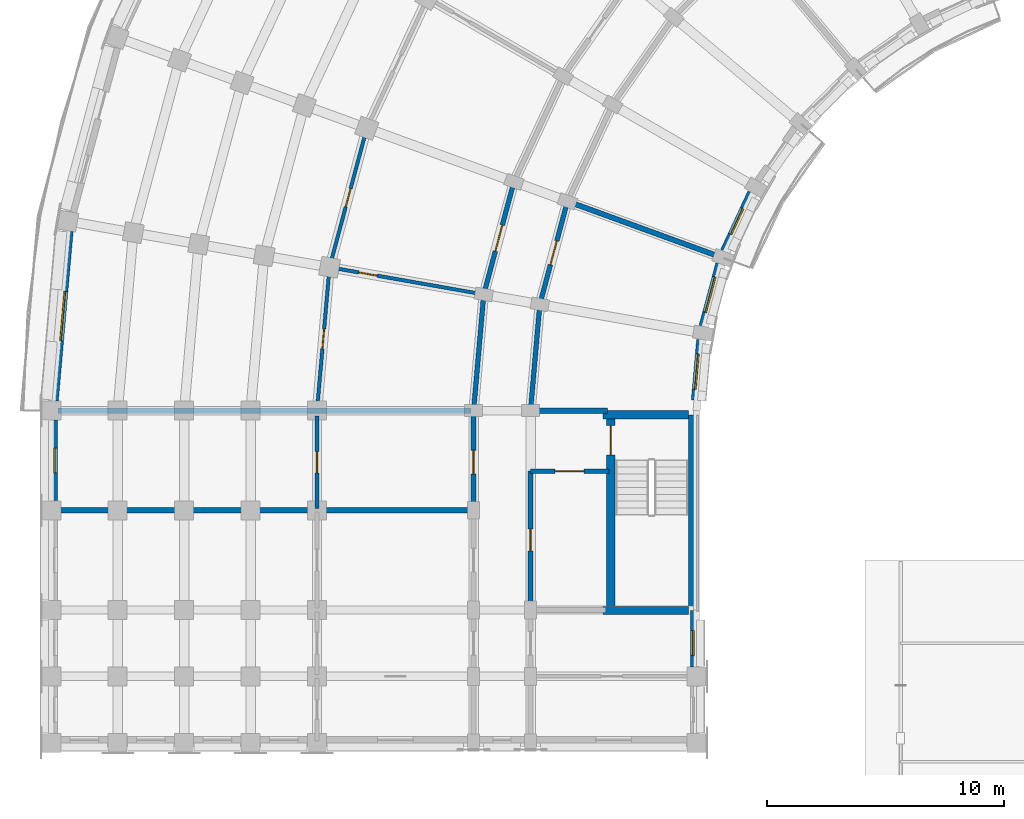
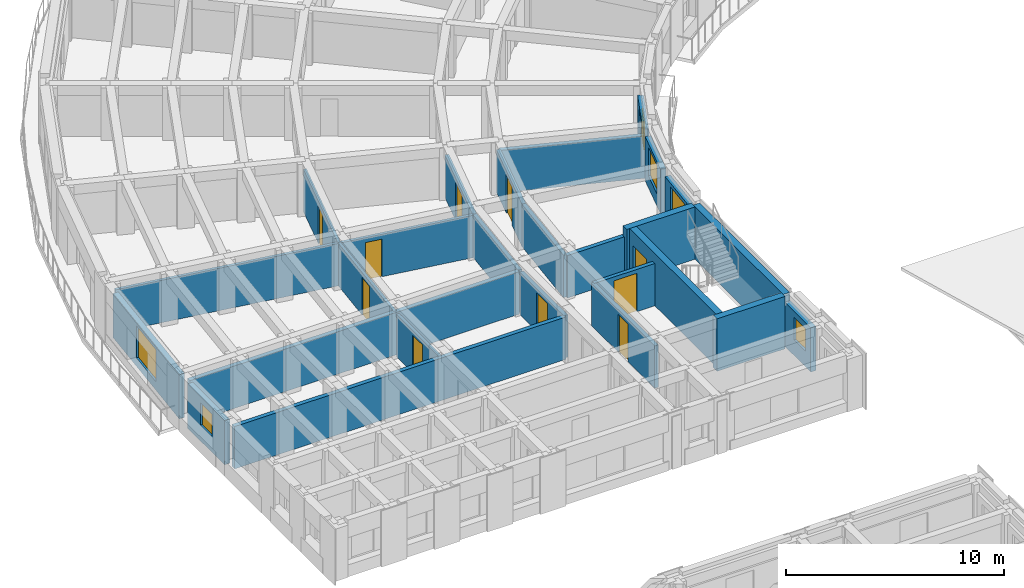
# One storey, part 43 of 76: 25 walls, 10 doors, 6 windows, 16 openings.
"""IFC4 building model written with IfcOpenShell, lengths in metres."""

from ifc_helpers import new_model, si_unit, direction, frame, frame_2d, origin, place, context, subcontext, project, spatial, rectangle, extrude, material, layer, layer_set, type_object, element, fill, save


model = new_model("IFC4")

# Units and contexts
model_context = context("Model", 3, precision=1e-05, world=origin(), true_north=direction((0.0, 1.0)))
body_context = subcontext(model_context, "Body", "Model", "MODEL_VIEW")
ifc_project = project(units=[si_unit("LENGTHUNIT", "METRE"), si_unit("AREAUNIT", "SQUARE_METRE"), si_unit("VOLUMEUNIT", "CUBIC_METRE"), si_unit("PLANEANGLEUNIT", "RADIAN"), si_unit("MASSUNIT", "GRAM", prefix="KILO")], contexts=[model_context])

# Site, building, storey
site_placement = place(None, origin())
site = spatial("IfcSite", under=ifc_project, at=site_placement, CompositionType="ELEMENT")
building_placement = place(site_placement, origin())
building = spatial("IfcBuilding", under=site, at=building_placement, Name="Kiranvali Square Residences", CompositionType="ELEMENT")
storey_placement = place(building_placement, frame((0.0, 0.0, 8.699951171875)))
storey = spatial("IfcBuildingStorey", under=building, at=storey_placement, Name="L02", CompositionType="ELEMENT", Elevation=8.699951171875)

# Wall, opening, door
ifc_material_1 = material(Name="Autoclaved aerated concrete blockwork masonry", Category="masonry")
ifc_layer_1 = layer(ifc_material_1, 0.199951171875)
ifc_layer_set_1 = layer_set([ifc_layer_1], Name="Autoclaved aerated concrete blockwork masonry")
wall_type_1 = type_object("IfcWallType", Name="WL-COR-200", PredefinedType="STANDARD", material=ifc_layer_set_1)
wall_1_placement = place(storey_placement, frame((25.699951171875, 85.25, 0.0), z_axis=(0.0, 0.0, 1.0), x_axis=(-1.0, 0.0, 0.0)))
wall_1 = element("IfcWall", 1, at=wall_1_placement, inside=storey, type_object=wall_type_1, Name="L02 architectural wall WL-L02-A-S3-V", PredefinedType="STANDARD", context=body_context, shape_type="SweptSolid", body=[
    extrude(rectangle(XDim=3.300048828125, YDim=0.199951171875, at=frame_2d((1.64990234375, 0.0))), origin(), (0.0, 0.0, 1.0), 2.3720703125),
])
opening_1_placement = place(wall_1_placement, frame((1.0400390625, 0.0, 0.0)))
opening_1 = element("IfcOpeningElement", 2, at=opening_1_placement, cuts=wall_1, Name="Opening FD-COR-60", PredefinedType="OPENING", context=body_context, shape_type="SweptSolid", body=[
    extrude(rectangle(XDim=1.219970703125, YDim=2.14990234375, at=frame_2d((0.60986328125, 1.074951171875))), frame((0.0, 0.10986328125, 0.0), z_axis=(0.0, -1.0, 0.0), x_axis=(1.0, 0.0, 0.0)), (0.0, 0.0, 1.0), 0.219970703125),
])
ifc_material_2 = material(Name="Fire-rated acoustic hardwood and mineral-core door assembly", Category="wood")
door_type_1 = type_object("IfcDoorType", Name="DR-FD60-1200", OperationType="NOTDEFINED", PredefinedType="DOOR", material=ifc_material_2)
door_1_placement = place(opening_1_placement, origin())
door_1 = element("IfcDoor", 3, at=door_1_placement, inside=storey, type_object=door_type_1, Name="L02 door DR-L02-0163 (DR-FD60-1200)", OperationType="SINGLE_SWING_LEFT", OverallHeight=2.14990234375, OverallWidth=1.219970703125, PredefinedType="DOOR", context=body_context, shape_type="SweptSolid", body=[
    extrude(rectangle(XDim=1.219970703125, YDim=2.14990234375, at=frame_2d((0.60986328125, 1.074951171875))), frame((0.0, 0.02490234375, 0.0), z_axis=(0.0, -1.0, 0.0), x_axis=(1.0, 0.0, 0.0)), (0.0, 0.0, 1.0), 0.050048828125),
])
fill(opening_1, door_1)

wall_2_placement = place(storey_placement, frame((22.39990234375, 85.25, 0.0), z_axis=(0.0, 0.0, 1.0), x_axis=(0.0, -1.0, 0.0)))
wall_2 = element("IfcWall", 4, at=wall_2_placement, inside=storey, type_object=wall_type_1, Name="L02 architectural wall WL-L02-A-S3-COR", PredefinedType="STANDARD", context=body_context, shape_type="SweptSolid", body=[
    extrude(rectangle(XDim=5.800048828125, YDim=0.199951171875, at=frame_2d((2.89990234375, 0.0))), origin(), (0.0, 0.0, 1.0), 2.3720703125),
])
opening_2_placement = place(wall_2_placement, frame((2.43994140625, 0.0, 0.0)))
opening_2 = element("IfcOpeningElement", 5, at=opening_2_placement, cuts=wall_2, Name="Opening FD-SVC-120", PredefinedType="OPENING", context=body_context, shape_type="SweptSolid", body=[
    extrude(rectangle(XDim=0.919921875, YDim=2.10009765625, at=frame_2d((0.4599609375, 1.050048828125))), frame((0.0, 0.10986328125, 0.0), z_axis=(0.0, -1.0, 0.0), x_axis=(1.0, 0.0, 0.0)), (0.0, 0.0, 1.0), 0.219970703125),
])
door_type_2 = type_object("IfcDoorType", Name="DR-SVC-900", OperationType="NOTDEFINED", PredefinedType="DOOR", material=ifc_material_2)
door_2_placement = place(opening_2_placement, frame((0.919921875, 0.0, 0.0), z_axis=(0.0, 0.0, 1.0), x_axis=(-1.0, 0.0, 0.0)))
door_2 = element("IfcDoor", 6, at=door_2_placement, inside=storey, type_object=door_type_2, Name="L02 door DR-L02-0164 (DR-SVC-900)", OperationType="SINGLE_SWING_RIGHT", OverallHeight=2.10009765625, OverallWidth=0.919921875, PredefinedType="DOOR", context=body_context, shape_type="SweptSolid", body=[
    extrude(rectangle(XDim=0.919921875, YDim=2.10009765625, at=frame_2d((0.4599609375, 1.050048828125))), frame((0.0, 0.02490234375, 0.0), z_axis=(0.0, -1.0, 0.0), x_axis=(1.0, 0.0, 0.0)), (0.0, 0.0, 1.0), 0.050048828125),
])
fill(opening_2, door_2)

wall_3_placement = place(storey_placement, frame((23.955810546875, 96.6240234375, 0.0), z_axis=(0.0, 0.0, 1.0), x_axis=(-0.258787642463, -0.965934240054, 0.0)))
wall_3 = element("IfcWall", 7, at=wall_3_placement, inside=storey, type_object=wall_type_1, Name="L02 architectural wall WL-L02-A-CCI-7", PredefinedType="STANDARD", context=body_context, shape_type="SweptSolid", body=[
    extrude(rectangle(XDim=4.497314453125, YDim=0.199951171875, at=frame_2d((2.24853515625, 0.0))), origin(), (0.0, 0.0, 1.0), 2.3720703125),
])
opening_3_placement = place(wall_3_placement, frame((1.728515625, 0.0, 0.0)))
opening_3 = element("IfcOpeningElement", 8, at=opening_3_placement, cuts=wall_3, Name="Opening FD-APT-60B", PredefinedType="OPENING", context=body_context, shape_type="SweptSolid", body=[
    extrude(rectangle(XDim=1.0400390625, YDim=2.14990234375, at=frame_2d((0.52001953125, 1.074951171875))), frame((0.0, 0.10986328125, 0.0), z_axis=(0.0, -1.0, 0.0), x_axis=(1.0, 0.0, 0.0)), (0.0, 0.0, 1.0), 0.219970703125),
])
door_type_3 = type_object("IfcDoorType", Name="DR-APT-1040", OperationType="NOTDEFINED", PredefinedType="DOOR", material=ifc_material_2)
door_3_placement = place(opening_3_placement, origin())
door_3 = element("IfcDoor", 9, at=door_3_placement, inside=storey, type_object=door_type_3, Name="L02 door DR-L02-0203 (DR-APT-1040)", OperationType="SINGLE_SWING_LEFT", OverallHeight=2.14990234375, OverallWidth=1.0400390625, PredefinedType="DOOR", context=body_context, shape_type="SweptSolid", body=[
    extrude(rectangle(XDim=1.0400390625, YDim=2.14990234375, at=frame_2d((0.52001953125, 1.074951171875))), frame((0.0, 0.02490234375, 0.0), z_axis=(0.0, -1.0, 0.0), x_axis=(1.0, 0.0, 0.0)), (0.0, 0.0, 1.0), 0.050048828125),
])
fill(opening_3, door_3)

wall_4_placement = place(storey_placement, frame((21.70068359375, 97.445068359375, 0.0), z_axis=(0.0, 0.0, 1.0), x_axis=(-0.258803112091, -0.965930095386, 0.0)))
wall_4 = element("IfcWall", 10, at=wall_4_placement, inside=storey, type_object=wall_type_1, Name="L02 architectural wall WL-L02-A-CCO-7", PredefinedType="STANDARD", context=body_context, shape_type="SweptSolid", body=[
    extrude(rectangle(XDim=4.915771484375, YDim=0.199951171875, at=frame_2d((2.4580078125, 0.0))), origin(), (0.0, 0.0, 1.0), 2.3720703125),
])
opening_4_placement = place(wall_4_placement, frame((1.8876953125, 0.0, 0.0)))
opening_4 = element("IfcOpeningElement", 11, at=opening_4_placement, cuts=wall_4, Name="Opening FD-APT-60D", PredefinedType="OPENING", context=body_context, shape_type="SweptSolid", body=[
    extrude(rectangle(XDim=1.139892578125, YDim=2.14990234375, at=frame_2d((0.56982421875, 1.074951171875))), frame((0.0, 0.10986328125, 0.0), z_axis=(0.0, -1.0, 0.0), x_axis=(1.0, 0.0, 0.0)), (0.0, 0.0, 1.0), 0.219970703125),
])
door_type_4 = type_object("IfcDoorType", Name="DR-APT-1140", OperationType="NOTDEFINED", PredefinedType="DOOR", material=ifc_material_2)
door_4_placement = place(opening_4_placement, origin())
door_4 = element("IfcDoor", 12, at=door_4_placement, inside=storey, type_object=door_type_4, Name="L02 door DR-L02-0197 (DR-APT-1140)", OperationType="SINGLE_SWING_LEFT", OverallHeight=2.14990234375, OverallWidth=1.139892578125, PredefinedType="DOOR", context=body_context, shape_type="SweptSolid", body=[
    extrude(rectangle(XDim=1.139892578125, YDim=2.14990234375, at=frame_2d((0.56982421875, 1.074951171875))), frame((0.0, 0.02490234375, 0.0), z_axis=(0.0, -1.0, 0.0), x_axis=(1.0, 0.0, 0.0)), (0.0, 0.0, 1.0), 0.050048828125),
])
fill(opening_4, door_4)

# Walls
wall_5_placement = place(storey_placement, frame((22.7919921875, 92.280029296875, 0.0), z_axis=(0.0, 0.0, 1.0), x_axis=(-0.087187153726, -0.996191949488, 0.0)))
element("IfcWall", 13, at=wall_5_placement, inside=storey, type_object=wall_type_1, Name="L02 architectural wall WL-L02-A-CCI-8", PredefinedType="STANDARD", context=body_context, shape_type="SweptSolid", body=[
    extrude(rectangle(XDim=4.4970703125, YDim=0.199951171875, at=frame_2d((2.24853515625, 0.0))), origin(), (0.0, 0.0, 1.0), 2.3720703125),
])
wall_6_placement = place(storey_placement, frame((20.428466796875, 92.69677734375, 0.0), z_axis=(0.0, 0.0, 1.0), x_axis=(-0.087167566415, -0.996193663584, 0.0)))
element("IfcWall", 14, at=wall_6_placement, inside=storey, type_object=wall_type_1, Name="L02 architectural wall WL-L02-A-CCO-8", PredefinedType="STANDARD", context=body_context, shape_type="SweptSolid", body=[
    extrude(rectangle(XDim=4.91552734375, YDim=0.199951171875, at=frame_2d((2.457763671875, 0.0))), origin(), (0.0, 0.0, 1.0), 2.3720703125),
])

# Wall, opening, door
wall_7_placement = place(storey_placement, frame((20.0, 87.64990234375, 0.0), z_axis=(0.0, 0.0, 1.0), x_axis=(0.0, -1.0, 0.0)))
wall_7 = element("IfcWall", 15, at=wall_7_placement, inside=storey, type_object=wall_type_1, Name="L02 architectural wall WL-L02-A-A2CF-C0", PredefinedType="STANDARD", context=body_context, shape_type="SweptSolid", body=[
    extrude(rectangle(XDim=4.0498046875, YDim=0.199951171875, at=frame_2d((2.02490234375, 0.0))), origin(), (0.0, 0.0, 1.0), 2.3720703125),
])
opening_5_placement = place(wall_7_placement, frame((1.52490234375, 0.0, 0.0)))
opening_5 = element("IfcOpeningElement", 16, at=opening_5_placement, cuts=wall_7, Name="Opening FD-APT-60", PredefinedType="OPENING", context=body_context, shape_type="SweptSolid", body=[
    extrude(rectangle(XDim=1.0, YDim=2.14990234375, at=frame_2d((0.5, 1.074951171875))), frame((0.0, 0.10986328125, 0.0), z_axis=(0.0, -1.0, 0.0), x_axis=(1.0, 0.0, 0.0)), (0.0, 0.0, 1.0), 0.219970703125),
])
door_type_5 = type_object("IfcDoorType", Name="DR-APT-1000", OperationType="NOTDEFINED", PredefinedType="DOOR", material=ifc_material_2)
door_5_placement = place(opening_5_placement, frame((1.0, 0.0, 0.0), z_axis=(0.0, 0.0, 1.0), x_axis=(-1.0, 0.0, 0.0)))
door_5 = element("IfcDoor", 17, at=door_5_placement, inside=storey, type_object=door_type_5, Name="L02 door DR-L02-0204 (DR-APT-1000)", OperationType="SINGLE_SWING_RIGHT", OverallHeight=2.14990234375, OverallWidth=1.0, PredefinedType="DOOR", context=body_context, shape_type="SweptSolid", body=[
    extrude(rectangle(XDim=1.0, YDim=2.14990234375, at=frame_2d((0.5, 1.074951171875))), frame((0.0, 0.02490234375, 0.0), z_axis=(0.0, -1.0, 0.0), x_axis=(1.0, 0.0, 0.0)), (0.0, 0.0, 1.0), 0.050048828125),
])
fill(opening_5, door_5)

# Walls
ifc_layer_2 = layer(ifc_material_1, 0.219970703125)
ifc_layer_set_2 = layer_set([ifc_layer_2], Name="Autoclaved aerated concrete blockwork masonry")
wall_type_2 = type_object("IfcWallType", Name="WL-DEM-220", PredefinedType="STANDARD", material=ifc_layer_set_2)
wall_8_placement = place(storey_placement, frame((30.345947265625, 94.29833984375, 0.0), z_axis=(0.0, 0.0, 1.0), x_axis=(-0.939696231917, 0.342010221662, 0.0)))
element("IfcWall", 18, at=wall_8_placement, inside=storey, type_object=wall_type_2, Name="L02 architectural wall WL-L02-A-RADI-7", PredefinedType="STANDARD", context=body_context, shape_type="SweptSolid", body=[
    extrude(rectangle(XDim=6.75, YDim=0.219970703125, at=frame_2d((3.375, 0.0))), origin(), (0.0, 0.0, 1.0), 2.3720703125),
])
wall_9_placement = place(storey_placement, frame((25.64990234375, 87.800048828125, 0.0), z_axis=(0.0, 0.0, 1.0), x_axis=(-1.0, 0.0, 0.0)))
element("IfcWall", 19, at=wall_9_placement, inside=storey, type_object=wall_type_2, Name="L02 architectural wall WL-L02-A-RADI-9", PredefinedType="STANDARD", context=body_context, shape_type="SweptSolid", body=[
    extrude(rectangle(XDim=3.199951171875, YDim=0.219970703125, at=frame_2d((1.60009765625, 0.0))), origin(), (0.0, 0.0, 1.0), 2.3720703125),
])
wall_10_placement = place(storey_placement, frame((19.949951171875, 83.60009765625, 0.0), z_axis=(0.0, 0.0, 1.0), x_axis=(-1.0, 0.0, 0.0)))
element("IfcWall", 20, at=wall_10_placement, inside=storey, type_object=wall_type_2, Name="L02 architectural wall WL-L02-A-A2CF-MID", PredefinedType="STANDARD", context=body_context, shape_type="SweptSolid", body=[
    extrude(rectangle(XDim=17.530029296875, YDim=0.219970703125, at=frame_2d((8.76513671875, 0.0))), origin(), (0.0, 0.0, 1.0), 2.3720703125),
])
ifc_layer_3 = layer(ifc_material_1, 0.22998046875)
ifc_layer_set_3 = layer_set([ifc_layer_3], Name="Autoclaved aerated concrete blockwork masonry")
wall_type_3 = type_object("IfcWallType", Name="WL-DEM-230", PredefinedType="STANDARD", material=ifc_layer_set_3)
wall_11_placement = place(storey_placement, frame((19.89990234375, 87.800048828125, 0.0), z_axis=(0.0, 0.0, 1.0), x_axis=(-1.0, 0.0, 0.0)))
element("IfcWall", 21, at=wall_11_placement, inside=storey, type_object=wall_type_3, Name="L02 architectural wall WL-L02-A-RADO-9", PredefinedType="STANDARD", context=body_context, shape_type="SweptSolid", body=[
    extrude(rectangle(XDim=17.419921875, YDim=0.22998046875, at=frame_2d((8.7099609375, 0.0))), origin(), (0.0, 0.0, 1.0), 2.3720703125),
])

# Wall, opening, window
ifc_material_3 = material(Name="Breathable lime-rendered clay brick masonry", Category="masonry")
ifc_layer_4 = layer(ifc_material_3, 0.27490234375)
ifc_layer_set_4 = layer_set([ifc_layer_4], Name="Breathable lime-rendered clay brick masonry")
wall_type_4 = type_object("IfcWallType", Name="WL-EXT-275", PredefinedType="STANDARD", material=ifc_layer_set_4)
wall_12_placement = place(storey_placement, frame((2.986083984375, 95.351318359375, 0.0), z_axis=(0.0, 0.0, 1.0), x_axis=(-0.08713989423, -0.99619608453, 0.0)))
wall_12 = element("IfcWall", 22, at=wall_12_placement, inside=storey, type_object=wall_type_4, Name="L02 exterior wall A-L02-CRV-08", PredefinedType="STANDARD", context=body_context, shape_type="SweptSolid", body=[
    extrude(rectangle(XDim=7.1640625, YDim=0.27490234375, at=frame_2d((3.58203125, 0.0))), origin(), (0.0, 0.0, 1.0), 2.47216796875),
])
opening_6_placement = place(wall_12_placement, frame((2.531982421875, 0.0, 0.471923828125)))
opening_6 = element("IfcOpeningElement", 23, at=opening_6_placement, cuts=wall_12, Name="Opening W-03", PredefinedType="OPENING", context=body_context, shape_type="SweptSolid", body=[
    extrude(rectangle(XDim=2.10009765625, YDim=1.800048828125, at=frame_2d((1.050048828125, 0.89990234375))), frame((0.0, 0.1474609375, 0.0), z_axis=(0.0, -1.0, 0.0), x_axis=(1.0, 0.0, 0.0)), (0.0, 0.0, 1.0), 0.294921875),
])
ifc_material_4 = material(Name="Solar-control low-e double glazing", Category="glass")
window_type_1 = type_object("IfcWindowType", Name="WIN-RES-2100x1800", PartitioningType="TRIPLE_PANEL_VERTICAL", PredefinedType="WINDOW", material=ifc_material_4)
window_1_placement = place(opening_6_placement, origin())
window_1 = element("IfcWindow", 24, at=window_1_placement, inside=storey, type_object=window_type_1, Name="L02 recessed window A-L02-CRV-08", OverallHeight=1.800048828125, OverallWidth=2.10009765625, PartitioningType="TRIPLE_PANEL_VERTICAL", PredefinedType="WINDOW", context=body_context, shape_type="SweptSolid", body=[
    extrude(rectangle(XDim=2.10009765625, YDim=1.800048828125, at=frame_2d((1.050048828125, 0.89990234375))), frame((0.0, 0.030029296875, 0.0), z_axis=(0.0, -1.0, 0.0), x_axis=(1.0, 0.0, 0.0)), (0.0, 0.0, 1.0), 0.06005859375),
])
fill(opening_6, window_1)

wall_13_placement = place(storey_placement, frame((31.687255859375, 96.999267578125, 0.0), z_axis=(0.0, 0.0, 1.0), x_axis=(-0.422610022166, -0.906311629168, 0.0)))
wall_13 = element("IfcWall", 25, at=wall_13_placement, inside=storey, type_object=wall_type_4, Name="L02 exterior wall A-L02-GDN-06", PredefinedType="STANDARD", context=body_context, shape_type="SweptSolid", body=[
    extrude(rectangle(XDim=2.717529296875, YDim=0.27490234375, at=frame_2d((1.35888671875, 0.0))), origin(), (0.0, 0.0, 1.0), 2.47216796875),
])
opening_7_placement = place(wall_13_placement, frame((0.7587890625, 0.0, 0.77197265625)))
opening_7 = element("IfcOpeningElement", 26, at=opening_7_placement, cuts=wall_13, Name="Opening W-06", PredefinedType="OPENING", context=body_context, shape_type="SweptSolid", body=[
    extrude(rectangle(XDim=1.199951171875, YDim=1.5, at=frame_2d((0.60009765625, 0.75))), frame((0.0, 0.1474609375, 0.0), z_axis=(0.0, -1.0, 0.0), x_axis=(1.0, 0.0, 0.0)), (0.0, 0.0, 1.0), 0.294921875),
])
window_type_2 = type_object("IfcWindowType", Name="WIN-RES-1200x1500", PartitioningType="SINGLE_PANEL", PredefinedType="WINDOW", material=ifc_material_4)
window_2_placement = place(opening_7_placement, origin())
window_2 = element("IfcWindow", 27, at=window_2_placement, inside=storey, type_object=window_type_2, Name="L02 recessed window A-L02-GDN-06", OverallHeight=1.5, OverallWidth=1.199951171875, PartitioningType="SINGLE_PANEL", PredefinedType="WINDOW", context=body_context, shape_type="SweptSolid", body=[
    extrude(rectangle(XDim=1.199951171875, YDim=1.5, at=frame_2d((0.60009765625, 0.75))), frame((0.0, 0.030029296875, 0.0), z_axis=(0.0, -1.0, 0.0), x_axis=(1.0, 0.0, 0.0)), (0.0, 0.0, 1.0), 0.06005859375),
])
fill(opening_7, window_2)

wall_14_placement = place(storey_placement, frame((30.340576171875, 93.9921875, 0.0), z_axis=(0.0, 0.0, 1.0), x_axis=(-0.258819907011, -0.965925595341, 0.0)))
wall_14 = element("IfcWall", 28, at=wall_14_placement, inside=storey, type_object=wall_type_4, Name="L02 exterior wall A-L02-GDN-07", PredefinedType="STANDARD", context=body_context, shape_type="SweptSolid", body=[
    extrude(rectangle(XDim=2.717529296875, YDim=0.27490234375, at=frame_2d((1.35888671875, 0.0))), origin(), (0.0, 0.0, 1.0), 2.47216796875),
])
opening_8_placement = place(wall_14_placement, frame((0.583740234375, 0.0, 0.672119140625)))
opening_8 = element("IfcOpeningElement", 29, at=opening_8_placement, cuts=wall_14, Name="Opening W-18", PredefinedType="OPENING", context=body_context, shape_type="SweptSolid", body=[
    extrude(rectangle(XDim=1.550048828125, YDim=1.60009765625, at=frame_2d((0.77490234375, 0.800048828125))), frame((0.0, 0.1474609375, 0.0), z_axis=(0.0, -1.0, 0.0), x_axis=(1.0, 0.0, 0.0)), (0.0, 0.0, 1.0), 0.294921875),
])
window_type_3 = type_object("IfcWindowType", Name="WIN-GDN-1550x1600", PartitioningType="DOUBLE_PANEL_VERTICAL", PredefinedType="WINDOW", material=ifc_material_4)
window_3_placement = place(opening_8_placement, origin())
window_3 = element("IfcWindow", 30, at=window_3_placement, inside=storey, type_object=window_type_3, Name="L02 recessed window A-L02-GDN-07", OverallHeight=1.60009765625, OverallWidth=1.550048828125, PartitioningType="DOUBLE_PANEL_VERTICAL", PredefinedType="WINDOW", context=body_context, shape_type="SweptSolid", body=[
    extrude(rectangle(XDim=1.550048828125, YDim=1.60009765625, at=frame_2d((0.77490234375, 0.800048828125))), frame((0.0, 0.030029296875, 0.0), z_axis=(0.0, -1.0, 0.0), x_axis=(1.0, 0.0, 0.0)), (0.0, 0.0, 1.0), 0.06005859375),
])
fill(opening_8, window_3)

wall_15_placement = place(storey_placement, frame((29.53662109375, 90.796875, 0.0), z_axis=(0.0, 0.0, 1.0), x_axis=(-0.08716102895, -0.996194235595, 0.0)))
wall_15 = element("IfcWall", 31, at=wall_15_placement, inside=storey, type_object=wall_type_4, Name="L02 exterior wall A-L02-GDN-08", PredefinedType="STANDARD", context=body_context, shape_type="SweptSolid", body=[
    extrude(rectangle(XDim=2.557373046875, YDim=0.27490234375, at=frame_2d((1.27880859375, 0.0))), origin(), (0.0, 0.0, 1.0), 2.47216796875),
])
opening_9_placement = place(wall_15_placement, frame((0.60888671875, 0.0, 0.6220703125)))
opening_9 = element("IfcOpeningElement", 32, at=opening_9_placement, cuts=wall_15, Name="Opening W-05", PredefinedType="OPENING", context=body_context, shape_type="SweptSolid", body=[
    extrude(rectangle(XDim=1.5, YDim=1.64990234375, at=frame_2d((0.75, 0.824951171875))), frame((0.0, 0.1474609375, 0.0), z_axis=(0.0, -1.0, 0.0), x_axis=(1.0, 0.0, 0.0)), (0.0, 0.0, 1.0), 0.294921875),
])
window_type_4 = type_object("IfcWindowType", Name="WIN-RES-1500x1650", PartitioningType="DOUBLE_PANEL_VERTICAL", PredefinedType="WINDOW", material=ifc_material_4)
window_4_placement = place(opening_9_placement, origin())
window_4 = element("IfcWindow", 33, at=window_4_placement, inside=storey, type_object=window_type_4, Name="L02 recessed window A-L02-GDN-08", OverallHeight=1.64990234375, OverallWidth=1.5, PartitioningType="DOUBLE_PANEL_VERTICAL", PredefinedType="WINDOW", context=body_context, shape_type="SweptSolid", body=[
    extrude(rectangle(XDim=1.5, YDim=1.64990234375, at=frame_2d((0.75, 0.824951171875))), frame((0.0, 0.030029296875, 0.0), z_axis=(0.0, -1.0, 0.0), x_axis=(1.0, 0.0, 0.0)), (0.0, 0.0, 1.0), 0.06005859375),
])
fill(opening_9, window_4)

wall_16_placement = place(storey_placement, frame((2.324951171875, 87.396484375, 0.0), z_axis=(0.0, 0.0, 1.0), x_axis=(0.0, -1.0, 0.0)))
wall_16 = element("IfcWall", 34, at=wall_16_placement, inside=storey, type_object=wall_type_4, Name="L02 exterior wall A-L02-A2O-0", PredefinedType="STANDARD", context=body_context, shape_type="SweptSolid", body=[
    extrude(rectangle(XDim=3.39306640625, YDim=0.27490234375, at=frame_2d((1.696533203125, 0.0))), origin(), (0.0, 0.0, 1.0), 2.47216796875),
])
opening_10_placement = place(wall_16_placement, frame((1.17138671875, 0.0, 0.8798828125)))
opening_10 = element("IfcOpeningElement", 35, at=opening_10_placement, cuts=wall_16, Name="Opening W-24", PredefinedType="OPENING", context=body_context, shape_type="SweptSolid", body=[
    extrude(rectangle(XDim=1.050048828125, YDim=1.25, at=frame_2d((0.52490234375, 0.625))), frame((0.0, 0.1474609375, 0.0), z_axis=(0.0, -1.0, 0.0), x_axis=(1.0, 0.0, 0.0)), (0.0, 0.0, 1.0), 0.294921875),
])
window_type_5 = type_object("IfcWindowType", Name="WIN-COR-1050x1250", PartitioningType="SINGLE_PANEL", PredefinedType="WINDOW", material=ifc_material_4)
window_5_placement = place(opening_10_placement, origin())
window_5 = element("IfcWindow", 36, at=window_5_placement, inside=storey, type_object=window_type_5, Name="L02 recessed window A-L02-A2O-0", OverallHeight=1.25, OverallWidth=1.050048828125, PartitioningType="SINGLE_PANEL", PredefinedType="WINDOW", context=body_context, shape_type="SweptSolid", body=[
    extrude(rectangle(XDim=1.050048828125, YDim=1.25, at=frame_2d((0.52490234375, 0.625))), frame((0.0, 0.030029296875, 0.0), z_axis=(0.0, -1.0, 0.0), x_axis=(1.0, 0.0, 0.0)), (0.0, 0.0, 1.0), 0.06005859375),
])
fill(opening_10, window_5)

wall_17_placement = place(storey_placement, frame((29.27490234375, 79.37158203125, 0.0), z_axis=(0.0, 0.0, 1.0), x_axis=(0.0, -1.0, 0.0)))
wall_17 = element("IfcWall", 37, at=wall_17_placement, inside=storey, type_object=wall_type_4, Name="L02 exterior wall A-L02-A2I-0", PredefinedType="STANDARD", context=body_context, shape_type="SweptSolid", body=[
    extrude(rectangle(XDim=2.3681640625, YDim=0.27490234375, at=frame_2d((1.18408203125, 0.0))), origin(), (0.0, 0.0, 1.0), 2.47216796875),
])
opening_11_placement = place(wall_17_placement, frame((0.846435546875, 0.0, 0.8798828125)))
opening_11 = element("IfcOpeningElement", 38, at=opening_11_placement, cuts=wall_17, Name="Opening W-24", PredefinedType="OPENING", context=body_context, shape_type="SweptSolid", body=[
    extrude(rectangle(XDim=1.050048828125, YDim=1.25, at=frame_2d((0.52490234375, 0.625))), frame((0.0, 0.1474609375, 0.0), z_axis=(0.0, -1.0, 0.0), x_axis=(1.0, 0.0, 0.0)), (0.0, 0.0, 1.0), 0.294921875),
])
window_6_placement = place(opening_11_placement, origin())
window_6 = element("IfcWindow", 39, at=window_6_placement, inside=storey, type_object=window_type_5, Name="L02 recessed window A-L02-A2I-0", OverallHeight=1.25, OverallWidth=1.050048828125, PartitioningType="SINGLE_PANEL", PredefinedType="WINDOW", context=body_context, shape_type="SweptSolid", body=[
    extrude(rectangle(XDim=1.050048828125, YDim=1.25, at=frame_2d((0.52490234375, 0.625))), frame((0.0, 0.030029296875, 0.0), z_axis=(0.0, -1.0, 0.0), x_axis=(1.0, 0.0, 0.0)), (0.0, 0.0, 1.0), 0.06005859375),
])
fill(opening_11, window_6)

# Wall, opening, door
ifc_material_5 = material(Name="Acoustic gypsum board drylined partition", Category="gypsum")
ifc_layer_5 = layer(ifc_material_5, 0.14990234375)
ifc_layer_set_5 = layer_set([ifc_layer_5], Name="Acoustic gypsum board drylined partition")
wall_type_5 = type_object("IfcWallType", Name="WL-PRT-150", PredefinedType="PARTITIONING", material=ifc_layer_set_5)
wall_18_placement = place(storey_placement, frame((20.329833984375, 92.71435546875, 0.0), z_axis=(0.0, 0.0, 1.0), x_axis=(-0.984808098809, 0.173646216546, 0.0)))
wall_18 = element("IfcWall", 40, at=wall_18_placement, inside=storey, type_object=wall_type_5, Name="L02 architectural wall WL-L02-A-RADO-8", PredefinedType="PARTITIONING", context=body_context, shape_type="SweptSolid", body=[
    extrude(rectangle(XDim=17.419921875, YDim=0.14990234375, at=frame_2d((8.7099609375, 0.0))), origin(), (0.0, 0.0, 1.0), 2.3720703125),
])
opening_12_placement = place(wall_18_placement, frame((4.44970703125, 0.0, 0.0)))
opening_12 = element("IfcOpeningElement", 41, at=opening_12_placement, cuts=wall_18, Name="Opening ID-WET", PredefinedType="OPENING", context=body_context, shape_type="SweptSolid", body=[
    extrude(rectangle(XDim=0.800048828125, YDim=2.10009765625, at=frame_2d((0.39990234375, 1.050048828125))), frame((0.0, 0.0849609375, 0.0), z_axis=(0.0, -1.0, 0.0), x_axis=(1.0, 0.0, 0.0)), (0.0, 0.0, 1.0), 0.169921875),
])
ifc_material_6 = material(Name="Solid seasoned teak hardwood joinery", Category="wood")
door_type_6 = type_object("IfcDoorType", Name="DR-WET-800", OperationType="NOTDEFINED", PredefinedType="DOOR", material=ifc_material_6)
door_6_placement = place(opening_12_placement, frame((0.800048828125, 0.0, 0.0), z_axis=(0.0, 0.0, 1.0), x_axis=(-1.0, 0.0, 0.0)))
door_6 = element("IfcDoor", 42, at=door_6_placement, inside=storey, type_object=door_type_6, Name="L02 door DR-L02-0186 (DR-WET-800)", OperationType="SINGLE_SWING_RIGHT", OverallHeight=2.10009765625, OverallWidth=0.800048828125, PredefinedType="DOOR", context=body_context, shape_type="SweptSolid", body=[
    extrude(rectangle(XDim=0.800048828125, YDim=2.10009765625, at=frame_2d((0.39990234375, 1.050048828125))), frame((0.0, 0.02490234375, 0.0), z_axis=(0.0, -1.0, 0.0), x_axis=(1.0, 0.0, 0.0)), (0.0, 0.0, 1.0), 0.050048828125),
])
fill(opening_12, door_6)

wall_19_placement = place(storey_placement, frame((13.39990234375, 87.570068359375, 0.0), z_axis=(0.0, 0.0, 1.0), x_axis=(0.0, -1.0, 0.0)))
wall_19 = element("IfcWall", 43, at=wall_19_placement, inside=storey, type_object=wall_type_5, Name="L02 architectural wall WL-L02-A-A2CF-SP0", PredefinedType="PARTITIONING", context=body_context, shape_type="SweptSolid", body=[
    extrude(rectangle(XDim=3.89013671875, YDim=0.14990234375, at=frame_2d((1.945068359375, 0.0))), origin(), (0.0, 0.0, 1.0), 2.3720703125),
])
opening_13_placement = place(wall_19_placement, frame((1.4951171875, 0.0, 0.0)))
opening_13 = element("IfcOpeningElement", 44, at=opening_13_placement, cuts=wall_19, Name="Opening ID-1", PredefinedType="OPENING", context=body_context, shape_type="SweptSolid", body=[
    extrude(rectangle(XDim=0.89990234375, YDim=2.10009765625, at=frame_2d((0.449951171875, 1.050048828125))), frame((0.0, 0.0849609375, 0.0), z_axis=(0.0, -1.0, 0.0), x_axis=(1.0, 0.0, 0.0)), (0.0, 0.0, 1.0), 0.169921875),
])
door_type_7 = type_object("IfcDoorType", Name="DR-INT-900", OperationType="NOTDEFINED", PredefinedType="DOOR", material=ifc_material_6)
door_7_placement = place(opening_13_placement, origin())
door_7 = element("IfcDoor", 45, at=door_7_placement, inside=storey, type_object=door_type_7, Name="L02 door DR-L02-0205 (DR-INT-900)", OperationType="SINGLE_SWING_LEFT", OverallHeight=2.10009765625, OverallWidth=0.89990234375, PredefinedType="DOOR", context=body_context, shape_type="SweptSolid", body=[
    extrude(rectangle(XDim=0.89990234375, YDim=2.10009765625, at=frame_2d((0.449951171875, 1.050048828125))), frame((0.0, 0.02490234375, 0.0), z_axis=(0.0, -1.0, 0.0), x_axis=(1.0, 0.0, 0.0)), (0.0, 0.0, 1.0), 0.050048828125),
])
fill(opening_13, door_7)

# Wall
ifc_material_7 = material(Name="Concrete M50 (50 MPa)", Category="concrete")
ifc_layer_6 = layer(ifc_material_7, 0.35009765625)
ifc_layer_set_6 = layer_set([ifc_layer_6], Name="Concrete M50 (50 MPa)")
wall_type_6 = type_object("IfcWallType", Name="WL-SHR-350", PredefinedType="SHEAR", material=ifc_layer_set_6)
wall_20_placement = place(storey_placement, frame((29.22509765625, 87.625, 0.0), z_axis=(0.0, 0.0, 1.0), x_axis=(0.0, -1.0, 0.0)))
element("IfcWall", 46, at=wall_20_placement, inside=storey, type_object=wall_type_6, Name="Block A core shear wall SW-A3-OUT-L02", PredefinedType="SHEAR", context=body_context, shape_type="SweptSolid", body=[
    extrude(rectangle(XDim=8.25, YDim=0.35009765625, at=frame_2d((4.125, 0.0))), origin(), (0.0, 0.0, 1.0), 2.929931640625),
])

# Wall, opening, door
wall_21_placement = place(storey_placement, frame((25.77490234375, 87.449951171875, 0.0), z_axis=(0.0, 0.0, 1.0), x_axis=(0.0, -1.0, 0.0)))
wall_21 = element("IfcWall", 47, at=wall_21_placement, inside=storey, type_object=wall_type_6, Name="Block A core shear wall SW-A3-IN-L02", PredefinedType="SHEAR", context=body_context, shape_type="SweptSolid", body=[
    extrude(rectangle(XDim=7.89990234375, YDim=0.35009765625, at=frame_2d((3.949951171875, 0.0))), origin(), (0.0, 0.0, 1.0), 2.929931640625),
])
opening_14_placement = place(wall_21_placement, frame((0.280029296875, 0.0, 0.0)))
opening_14 = element("IfcOpeningElement", 48, at=opening_14_placement, cuts=wall_21, Name="Opening FD-ST-120", PredefinedType="OPENING", context=body_context, shape_type="SweptSolid", body=[
    extrude(rectangle(XDim=1.239990234375, YDim=2.14990234375, at=frame_2d((0.6201171875, 1.074951171875))), frame((0.0, 0.18505859375, 0.0), z_axis=(0.0, -1.0, 0.0), x_axis=(1.0, 0.0, 0.0)), (0.0, 0.0, 1.0), 0.3701171875),
])
door_type_8 = type_object("IfcDoorType", Name="DR-FD120-1200", OperationType="NOTDEFINED", PredefinedType="DOOR", material=ifc_material_2)
door_8_placement = place(opening_14_placement, origin())
door_8 = element("IfcDoor", 49, at=door_8_placement, inside=storey, type_object=door_type_8, Name="L02 door DR-L02-0159 (DR-FD120-1200)", OperationType="SINGLE_SWING_LEFT", OverallHeight=2.14990234375, OverallWidth=1.239990234375, PredefinedType="DOOR", context=body_context, shape_type="SweptSolid", body=[
    extrude(rectangle(XDim=1.239990234375, YDim=2.14990234375, at=frame_2d((0.6201171875, 1.074951171875))), frame((0.0, 0.02490234375, 0.0), z_axis=(0.0, -1.0, 0.0), x_axis=(1.0, 0.0, 0.0)), (0.0, 0.0, 1.0), 0.050048828125),
])
fill(opening_14, door_8)

# Walls
for number, where, z_axis, x_axis, name in (
    (50, (29.050048828125, 87.625, 0.0), (0.0, 0.0, 1.0), (-1.0, 0.0, 0.0), "Block A core shear wall SW-A3-NEAR-L02"),
    (51, (29.050048828125, 79.375, 0.0), (0.0, 0.0, 1.0), (-1.0, 0.0, 0.0), "Block A core shear wall SW-A3-FAR-L02"),
):
    element("IfcWall", number, at=place(storey_placement, frame(where, z_axis=z_axis, x_axis=x_axis)), inside=storey, type_object=wall_type_6, Name=name, PredefinedType="SHEAR", context=body_context, shape_type="SweptSolid", body=[
        extrude(rectangle(XDim=3.60009765625, YDim=0.35009765625, at=frame_2d((1.800048828125, 0.0))), origin(), (0.0, 0.0, 1.0), 2.929931640625),
    ])

# Wall, opening, door
ifc_layer_7 = layer(ifc_material_1, 0.14990234375)
ifc_layer_set_7 = layer_set([ifc_layer_7], Name="Autoclaved aerated concrete blockwork masonry")
wall_type_7 = type_object("IfcWallType", Name="WL-WET-150", PredefinedType="PLUMBINGWALL", material=ifc_layer_set_7)
wall_22_placement = place(storey_placement, frame((15.498779296875, 99.702392578125, 0.0), z_axis=(0.0, 0.0, 1.0), x_axis=(-0.258827283048, -0.965923618901, 0.0)))
wall_22 = element("IfcWall", 52, at=wall_22_placement, inside=storey, type_object=wall_type_7, Name="L02 architectural wall WL-L02-A-CWET-7", PredefinedType="PLUMBINGWALL", context=body_context, shape_type="SweptSolid", body=[
    extrude(rectangle(XDim=6.066162109375, YDim=0.14990234375, at=frame_2d((3.033203125, 0.0))), origin(), (0.0, 0.0, 1.0), 2.3720703125),
])
opening_15_placement = place(wall_22_placement, frame((2.633056640625, 0.0, 0.0)))
opening_15 = element("IfcOpeningElement", 53, at=opening_15_placement, cuts=wall_22, Name="Opening ID-WET", PredefinedType="OPENING", context=body_context, shape_type="SweptSolid", body=[
    extrude(rectangle(XDim=0.800048828125, YDim=2.10009765625, at=frame_2d((0.39990234375, 1.050048828125))), frame((0.0, 0.0849609375, 0.0), z_axis=(0.0, -1.0, 0.0), x_axis=(1.0, 0.0, 0.0)), (0.0, 0.0, 1.0), 0.169921875),
])
door_9_placement = place(opening_15_placement, frame((0.800048828125, 0.0, 0.0), z_axis=(0.0, 0.0, 1.0), x_axis=(-1.0, 0.0, 0.0)))
door_9 = element("IfcDoor", 54, at=door_9_placement, inside=storey, type_object=door_type_6, Name="L02 door DR-L02-0198 (DR-WET-800)", OperationType="SINGLE_SWING_RIGHT", OverallHeight=2.10009765625, OverallWidth=0.800048828125, PredefinedType="DOOR", context=body_context, shape_type="SweptSolid", body=[
    extrude(rectangle(XDim=0.800048828125, YDim=2.10009765625, at=frame_2d((0.39990234375, 1.050048828125))), frame((0.0, 0.02490234375, 0.0), z_axis=(0.0, -1.0, 0.0), x_axis=(1.0, 0.0, 0.0)), (0.0, 0.0, 1.0), 0.050048828125),
])
fill(opening_15, door_9)

wall_23_placement = place(storey_placement, frame((13.9287109375, 93.843017578125, 0.0), z_axis=(0.0, 0.0, 1.0), x_axis=(-0.087174938512, -0.996193018494, 0.0)))
wall_23 = element("IfcWall", 55, at=wall_23_placement, inside=storey, type_object=wall_type_7, Name="L02 architectural wall WL-L02-A-CWET-8", PredefinedType="PLUMBINGWALL", context=body_context, shape_type="SweptSolid", body=[
    extrude(rectangle(XDim=6.066162109375, YDim=0.14990234375, at=frame_2d((3.033203125, 0.0))), origin(), (0.0, 0.0, 1.0), 2.3720703125),
])
opening_16_placement = place(wall_23_placement, frame((2.613037109375, 0.0, 0.0)))
opening_16 = element("IfcOpeningElement", 56, at=opening_16_placement, cuts=wall_23, Name="Opening ID-WET2", PredefinedType="OPENING", context=body_context, shape_type="SweptSolid", body=[
    extrude(rectangle(XDim=0.840087890625, YDim=2.10009765625, at=frame_2d((0.419921875, 1.050048828125))), frame((0.0, 0.0849609375, 0.0), z_axis=(0.0, -1.0, 0.0), x_axis=(1.0, 0.0, 0.0)), (0.0, 0.0, 1.0), 0.169921875),
])
door_type_9 = type_object("IfcDoorType", Name="DR-WET-840", OperationType="NOTDEFINED", PredefinedType="DOOR", material=ifc_material_6)
door_10_placement = place(opening_16_placement, origin())
door_10 = element("IfcDoor", 57, at=door_10_placement, inside=storey, type_object=door_type_9, Name="L02 door DR-L02-0199 (DR-WET-840)", OperationType="SINGLE_SWING_LEFT", OverallHeight=2.10009765625, OverallWidth=0.840087890625, PredefinedType="DOOR", context=body_context, shape_type="SweptSolid", body=[
    extrude(rectangle(XDim=0.840087890625, YDim=2.10009765625, at=frame_2d((0.419921875, 1.050048828125))), frame((0.0, 0.02490234375, 0.0), z_axis=(0.0, -1.0, 0.0), x_axis=(1.0, 0.0, 0.0)), (0.0, 0.0, 1.0), 0.050048828125),
])
fill(opening_16, door_10)

save(model, "model.ifc")
